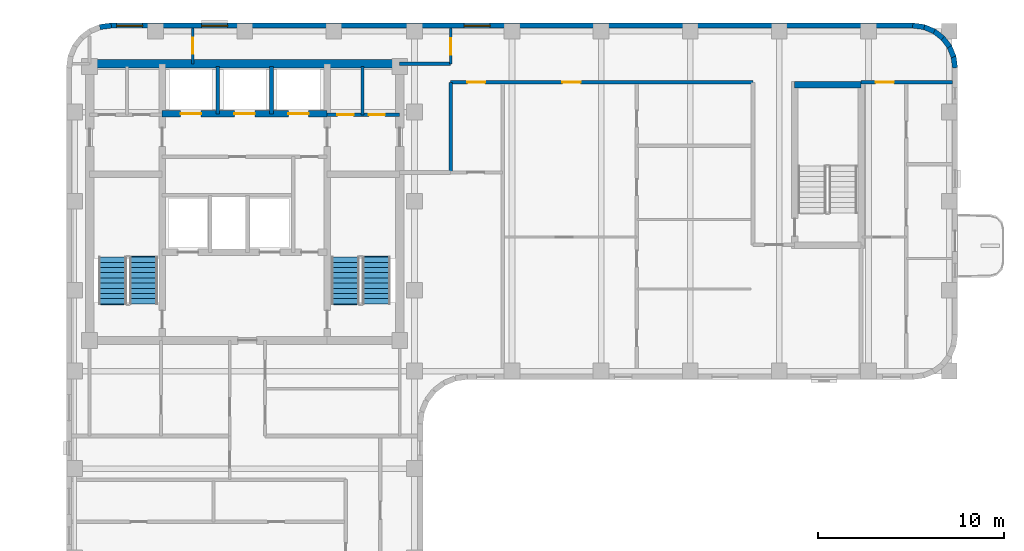
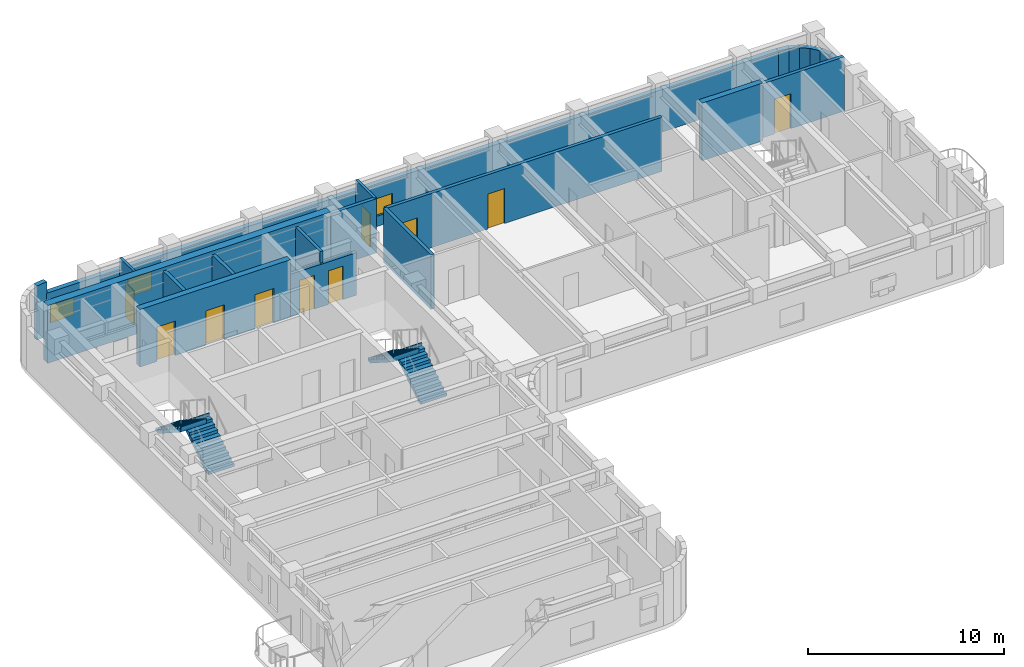
# One storey, part 6 of 10: 21 walls, 10 doors, 4 stair flights, 3 windows, 13 openings, 2 elements without a shape of their own.
"""IFC4 building model written with IfcOpenShell, lengths in metres."""

import ifcopenshell
import ifcopenshell.guid

model = None  # the IFC model being written
_history = None  # IfcOwnerHistory: only IFC2X3 demands one
_inside = {}  # id of a spatial element -> (the spatial element, [elements in it])
_under = {}  # id of a project, library or spatial element -> (it, [spatial elements below it])
_declared = {}  # id of a project -> (the project, [libraries it declares])
_typed = {}  # id of a type object -> (the type object, [elements of that type])
_made_of = {}  # id of a material, layer set ... -> (it, [elements and type objects made of it])


def new_model(schema):
    """Start an empty IFC model of exactly this schema.

    Asked for "IFC4X3", IfcOpenShell would pick the latest addendum, in which some entities
    have other attributes; the version numbers below select the first issue.
    IFC2X3 requires an IfcOwnerHistory on every rooted entity: one is made here for all.
    """
    global model, _history
    if schema == "IFC4X3":
        model = ifcopenshell.file(schema_version=(4, 3, 0, 0))
    else:
        model = ifcopenshell.file(schema=schema)
    _inside.clear()
    _under.clear()
    _declared.clear()
    _typed.clear()
    _made_of.clear()
    _history = None
    if model.schema == "IFC2X3":
        org = make("IfcOrganization", Name="unknown")
        user = make(
            "IfcPersonAndOrganization",
            ThePerson=make("IfcPerson", FamilyName="unknown"),
            TheOrganization=org,
        )
        app = make(
            "IfcApplication",
            ApplicationDeveloper=org,
            Version="unknown",
            ApplicationFullName="unknown",
            ApplicationIdentifier="unknown",
        )
        _history = make(
            "IfcOwnerHistory",
            OwningUser=user,
            OwningApplication=app,
            ChangeAction="ADDED",
            CreationDate=0,
        )
    return model


def make(cls, **values):
    """One entity of the class cls with the attributes given. An attribute that is None is left unset."""
    return model.create_entity(
        cls, **{name: value for name, value in values.items() if value is not None}
    )


def rooted(cls, **values):
    """An entity with a GlobalId (a new one), such as an element, a storey or a relation."""
    return make(cls, GlobalId=ifcopenshell.guid.new(), OwnerHistory=_history, **values)


def si_unit(unit_type, name, prefix=None):
    """IfcSIUnit, for example si_unit("LENGTHUNIT", "METRE", prefix="MILLI")."""
    return make("IfcSIUnit", UnitType=unit_type, Prefix=prefix, Name=name)


def assignment(units):
    """IfcUnitAssignment: the units of a project."""
    return None if units is None else make("IfcUnitAssignment", Units=units)


def point(xyz):
    """IfcCartesianPoint."""
    return None if xyz is None else make("IfcCartesianPoint", Coordinates=xyz)


def direction(xyz):
    """IfcDirection."""
    return None if xyz is None else make("IfcDirection", DirectionRatios=xyz)


def frame(location, z_axis=None, x_axis=None):
    """IfcAxis2Placement3D, a coordinate frame: its origin and axes. An axis left out is left unset."""
    return make(
        "IfcAxis2Placement3D",
        Location=point(location),
        Axis=direction(z_axis),
        RefDirection=direction(x_axis),
    )


def frame_2d(location, x_axis=None):
    """IfcAxis2Placement2D, a coordinate frame in the plane: its origin and x axis."""
    return make(
        "IfcAxis2Placement2D", Location=point(location), RefDirection=direction(x_axis)
    )


def origin():
    """The frame at (0, 0, 0) with its axes left unset."""
    return frame((0.0, 0.0, 0.0))


def place(relative_to, where):
    """IfcLocalPlacement: puts the frame where relative to a parent placement (None: the world)."""
    return make(
        "IfcLocalPlacement", PlacementRelTo=relative_to, RelativePlacement=where
    )


def context(
    kind, dimensions, precision=None, world=None, true_north=None, identifier=None
):
    """IfcGeometricRepresentationContext, for example the 3D "Model" context."""
    return make(
        "IfcGeometricRepresentationContext",
        ContextIdentifier=identifier,
        ContextType=kind,
        CoordinateSpaceDimension=dimensions,
        Precision=precision,
        WorldCoordinateSystem=world,
        TrueNorth=true_north,
    )


def subcontext(parent, identifier, kind, view, scale=None):
    """IfcGeometricRepresentationSubContext, for example "Body" below "Model"."""
    return make(
        "IfcGeometricRepresentationSubContext",
        ContextIdentifier=identifier,
        ContextType=kind,
        ParentContext=parent,
        TargetScale=scale,
        TargetView=view,
    )


def project(units=None, contexts=None):
    """IfcProject with its units and contexts."""
    return rooted(
        "IfcProject",
        Name="project",
        RepresentationContexts=contexts,
        UnitsInContext=assignment(units),
    )


def spatial(cls, under=None, at=None, **own):
    """A site, building, storey or space (cls), placed at a placement, below another one or the project."""
    s = rooted(cls, ObjectPlacement=at, **own)
    if under is not None:
        _under.setdefault(under.id(), (under, []))[1].append(s)
    return s


def polyline(points):
    """IfcPolyline through the points."""
    return make("IfcPolyline", Points=[point(p) for p in points])


def profile(cls, at=None, kind="AREA", **sizes):
    """A parametric profile (cls). Its sizes go by their IFC names, for example OverallWidth=200.0."""
    return make(cls, ProfileType=kind, Position=at, **sizes)


def rectangle(**sizes):
    """IfcRectangleProfileDef."""
    return profile("IfcRectangleProfileDef", **sizes)


def outline(outer, holes=None, kind="AREA"):
    """IfcArbitraryClosedProfileDef: a profile drawn as a closed curve; with holes, ...WithVoids."""
    if holes is None:
        return make("IfcArbitraryClosedProfileDef", ProfileType=kind, OuterCurve=outer)
    return make(
        "IfcArbitraryProfileDefWithVoids",
        ProfileType=kind,
        OuterCurve=outer,
        InnerCurves=holes,
    )


def extrude(swept, where, along, depth):
    """IfcExtrudedAreaSolid: the profile swept, set in the frame where, extruded along a direction by depth."""
    return make(
        "IfcExtrudedAreaSolid",
        SweptArea=swept,
        Position=where,
        ExtrudedDirection=direction(along),
        Depth=depth,
    )


def shape(context_of_items, identifier, shape_type, items):
    """IfcShapeRepresentation: the items that make up one representation, for example the "Body"."""
    return make(
        "IfcShapeRepresentation",
        ContextOfItems=context_of_items,
        RepresentationIdentifier=identifier,
        RepresentationType=shape_type,
        Items=items,
    )


def material(Name=None, Category=None):
    """IfcMaterial."""
    return make("IfcMaterial", Name=Name, Category=Category)


def layer(
    of_material, thickness, ventilated=None, Name=None, Category=None, Priority=None
):
    """IfcMaterialLayer: one layer of a wall or slab, of a material (None: an air gap)."""
    return make(
        "IfcMaterialLayer",
        Material=of_material,
        LayerThickness=thickness,
        IsVentilated=ventilated,
        Name=Name,
        Category=Category,
        Priority=Priority,
    )


def layer_set(layers, Name=None):
    """IfcMaterialLayerSet."""
    return make("IfcMaterialLayerSet", MaterialLayers=layers, LayerSetName=Name)


def made_of(thing, what):
    """Note that an element or type object is made of a material, layer set ...; save() writes the relation."""
    if what is not None:
        _made_of.setdefault(what.id(), (what, []))[1].append(thing)
    return thing


def type_object(cls, material=None, **own):
    """A type object (cls), such as IfcWallType, which elements share."""
    return made_of(rooted(cls, **own), material)


def element(
    cls,
    number,
    at=None,
    inside=None,
    cuts=None,
    type_object=None,
    material=None,
    context=None,
    identifier="Body",
    shape_type=None,
    held_by="IfcProductDefinitionShape",
    body=None,
    shapes=None,
    **own,
):
    """One element of the class cls, such as IfcWall. Its Tag is "e" and its number.

    at: its placement. inside: the storey or other place that contains it. cuts: it is an
    opening in that element (IfcRelVoidsElement). A single representation is given by context,
    identifier, shape_type and body (its items); several are given by shapes. held_by: the class
    of the entity that holds the representations. save() writes the other relations.
    """
    e = rooted(cls, Tag="e%d" % number, ObjectPlacement=at, **own)
    if body is not None:
        shapes = [shape(context, identifier, shape_type, body)]
    if shapes is not None:
        e.Representation = make(held_by, Representations=shapes)
    if inside is not None:
        _inside.setdefault(inside.id(), (inside, []))[1].append(e)
    if cuts is not None:
        rooted(
            "IfcRelVoidsElement", RelatingBuildingElement=cuts, RelatedOpeningElement=e
        )
    if type_object is not None:
        _typed.setdefault(type_object.id(), (type_object, []))[1].append(e)
    return made_of(e, material)


def fill(opening, filler):
    """IfcRelFillsElement: the door or window that sits in an opening."""
    return rooted(
        "IfcRelFillsElement",
        RelatingOpeningElement=opening,
        RelatedBuildingElement=filler,
    )


def aggregate(whole, parts):
    """IfcRelAggregates: a whole, such as a stair, and the parts it consists of."""
    return rooted("IfcRelAggregates", RelatingObject=whole, RelatedObjects=parts)


def save(model, path):
    """Write the relations noted so far, then the file.

    IfcRelAggregates (storeys below a building ...), IfcRelContainedInSpatialStructure (elements
    in a storey), IfcRelDefinesByType, IfcRelAssociatesMaterial and IfcRelDeclares: one each for
    every whole, place, type object, material and project.
    """
    for whole, parts in _under.values():
        aggregate(whole, parts)
    for where, things in _inside.values():
        rooted(
            "IfcRelContainedInSpatialStructure",
            RelatedElements=things,
            RelatingStructure=where,
        )
    for kind, things in _typed.values():
        rooted("IfcRelDefinesByType", RelatedObjects=things, RelatingType=kind)
    for what, things in _made_of.values():
        rooted("IfcRelAssociatesMaterial", RelatedObjects=things, RelatingMaterial=what)
    for by, libraries in _declared.values():
        rooted("IfcRelDeclares", RelatingContext=by, RelatedDefinitions=libraries)
    model.write(path)


model = new_model("IFC4")

# Units and contexts
model_context = context("Model", 3, precision=1e-05, world=origin(), true_north=direction((0.0, 1.0)))
body_context = subcontext(model_context, "Body", "Model", "MODEL_VIEW")
ifc_project = project(units=[si_unit("LENGTHUNIT", "METRE"), si_unit("AREAUNIT", "SQUARE_METRE"), si_unit("VOLUMEUNIT", "CUBIC_METRE"), si_unit("PLANEANGLEUNIT", "RADIAN"), si_unit("MASSUNIT", "GRAM", prefix="KILO")], contexts=[model_context])

# Site, building, storey
site_placement = place(None, origin())
site = spatial("IfcSite", under=ifc_project, at=site_placement, CompositionType="ELEMENT")
building_placement = place(site_placement, origin())
building = spatial("IfcBuilding", under=site, at=building_placement, Name="Orvandelia Arch Residences", CompositionType="ELEMENT")
storey_placement = place(building_placement, frame((0.0, 0.0, 229.0)))
storey = spatial("IfcBuildingStorey", under=building, at=storey_placement, Name="L60", CompositionType="ELEMENT", Elevation=229.0)

# Wall, openings, doors
ifc_material_1 = material(Name="Concrete C50/60", Category="concrete")
ifc_layer_1 = layer(ifc_material_1, 0.35009765625, Name="Concrete C50/60", Category="concrete")
ifc_layer_set_1 = layer_set([ifc_layer_1], Name="Concrete C50/60")
wall_type_1 = type_object("IfcWallType", Name="WL-CORE-350", PredefinedType="SHEAR", material=ifc_layer_set_1)
wall_1_placement = place(storey_placement, frame((9.9599609375, 43.10009765625, 0.0), z_axis=(0.0, 0.0, 1.0), x_axis=(1.0, 0.0, 0.0)))
wall_1 = element("IfcWall", 1, at=wall_1_placement, inside=storey, type_object=wall_type_1, Name="Core Shear Wall L60-HZ4", PredefinedType="SHEAR", context=body_context, shape_type="SweptSolid", body=[
    extrude(rectangle(XDim=8.880126953125, YDim=0.35009765625, at=frame_2d((4.43994140625, 0.0))), origin(), (0.0, 0.0, 1.0), 3.60009765625),
])
opening_1_placement = place(wall_1_placement, frame((0.989990234375, 0.0, 0.0)))
opening_1 = element("IfcOpeningElement", 2, at=opening_1_placement, cuts=wall_1, Name="Opening LD", PredefinedType="OPENING", context=body_context, shape_type="SweptSolid", body=[
    extrude(rectangle(XDim=1.10009765625, YDim=2.14990234375, at=frame_2d((0.550048828125, 1.074951171875))), frame((0.0, 0.18505859375, 0.0), z_axis=(0.0, -1.0, 0.0), x_axis=(1.0, 0.0, 0.0)), (0.0, 0.0, 1.0), 0.3701171875),
])
opening_2_placement = place(wall_1_placement, frame((3.889892578125, 0.0, 0.0)))
opening_2 = element("IfcOpeningElement", 3, at=opening_2_placement, cuts=wall_1, Name="Opening LD", PredefinedType="OPENING", context=body_context, shape_type="SweptSolid", body=[
    extrude(rectangle(XDim=1.10009765625, YDim=2.14990234375, at=frame_2d((0.550048828125, 1.074951171875))), frame((0.0, 0.18505859375, 0.0), z_axis=(0.0, -1.0, 0.0), x_axis=(1.0, 0.0, 0.0)), (0.0, 0.0, 1.0), 0.3701171875),
])
opening_3_placement = place(wall_1_placement, frame((6.7900390625, 0.0, 0.0)))
opening_3 = element("IfcOpeningElement", 4, at=opening_3_placement, cuts=wall_1, Name="Opening LD", PredefinedType="OPENING", context=body_context, shape_type="SweptSolid", body=[
    extrude(rectangle(XDim=1.10009765625, YDim=2.14990234375, at=frame_2d((0.550048828125, 1.074951171875))), frame((0.0, 0.18505859375, 0.0), z_axis=(0.0, -1.0, 0.0), x_axis=(1.0, 0.0, 0.0)), (0.0, 0.0, 1.0), 0.3701171875),
])
ifc_material_2 = material(Name="Brushed Stainless Steel Sliding Lift Door", Category="steel")
door_type_1 = type_object("IfcDoorType", Name="DR-LIFT-1100", OperationType="NOTDEFINED", PredefinedType="DOOR", material=ifc_material_2)
door_1_placement = place(opening_1_placement, origin())
door_1 = element("IfcDoor", 5, at=door_1_placement, inside=storey, type_object=door_type_1, Name="Lift Landing Door LD-PH1-L60", OperationType="SLIDING_TO_LEFT", OverallHeight=2.14990234375, OverallWidth=1.10009765625, PredefinedType="DOOR", context=body_context, shape_type="SweptSolid", body=[
    extrude(rectangle(XDim=1.10009765625, YDim=2.14990234375, at=frame_2d((0.550048828125, 1.074951171875))), frame((0.0, 0.02490234375, 0.0), z_axis=(0.0, -1.0, 0.0), x_axis=(1.0, 0.0, 0.0)), (0.0, 0.0, 1.0), 0.050048828125),
])
fill(opening_1, door_1)
door_2_placement = place(opening_2_placement, origin())
door_2 = element("IfcDoor", 6, at=door_2_placement, inside=storey, type_object=door_type_1, Name="Lift Landing Door LD-PH2-L60", OperationType="SLIDING_TO_RIGHT", OverallHeight=2.14990234375, OverallWidth=1.10009765625, PredefinedType="DOOR", context=body_context, shape_type="SweptSolid", body=[
    extrude(rectangle(XDim=1.10009765625, YDim=2.14990234375, at=frame_2d((0.550048828125, 1.074951171875))), frame((0.0, 0.02490234375, 0.0), z_axis=(0.0, -1.0, 0.0), x_axis=(1.0, 0.0, 0.0)), (0.0, 0.0, 1.0), 0.050048828125),
])
fill(opening_2, door_2)
door_3_placement = place(opening_3_placement, origin())
door_3 = element("IfcDoor", 7, at=door_3_placement, inside=storey, type_object=door_type_1, Name="Lift Landing Door LD-PH3-L60", OperationType="SLIDING_TO_LEFT", OverallHeight=2.14990234375, OverallWidth=1.10009765625, PredefinedType="DOOR", context=body_context, shape_type="SweptSolid", body=[
    extrude(rectangle(XDim=1.10009765625, YDim=2.14990234375, at=frame_2d((0.550048828125, 1.074951171875))), frame((0.0, 0.02490234375, 0.0), z_axis=(0.0, -1.0, 0.0), x_axis=(1.0, 0.0, 0.0)), (0.0, 0.0, 1.0), 0.050048828125),
])
fill(opening_3, door_3)

# Walls
wall_2_placement = place(storey_placement, frame((44.02001953125, 44.659912109375, 0.0), z_axis=(0.0, 0.0, 1.0), x_axis=(1.0, 0.0, 0.0)))
element("IfcWall", 8, at=wall_2_placement, inside=storey, type_object=wall_type_1, Name="East Stair Core Shear Wall L60-N", PredefinedType="SHEAR", context=body_context, shape_type="SweptSolid", body=[
    extrude(rectangle(XDim=3.580078125, YDim=0.35009765625, at=frame_2d((1.7900390625, 0.0))), origin(), (0.0, 0.0, 1.0), 3.60009765625),
])
ifc_layer_2 = layer(ifc_material_1, 0.449951171875, Name="Concrete C50/60", Category="concrete")
ifc_layer_set_2 = layer_set([ifc_layer_2], Name="Concrete C50/60")
wall_type_2 = type_object("IfcWallType", Name="WL-CORE-450", PredefinedType="SHEAR", material=ifc_layer_set_2)
wall_3_placement = place(storey_placement, frame((6.050048828125, 45.800048828125, 0.0), z_axis=(0.0, 0.0, 1.0), x_axis=(1.0, 0.0, 0.0)))
element("IfcWall", 9, at=wall_3_placement, inside=storey, type_object=wall_type_2, Name="Core Shear Wall L60-N", PredefinedType="SHEAR", context=body_context, shape_type="SweptSolid", body=[
    extrude(rectangle(XDim=16.699951171875, YDim=0.449951171875, at=frame_2d((8.35009765625, 0.0))), origin(), (0.0, 0.0, 1.0), 3.60009765625),
])
ifc_material_3 = material(Name="Fire-Rated Corridor Partition")
ifc_layer_3 = layer(ifc_material_3, 0.199951171875, Name="Fire-Rated Corridor Partition")
ifc_layer_set_3 = layer_set([ifc_layer_3], Name="Fire-Rated Corridor Partition")
wall_type_3 = type_object("IfcWallType", Name="WL-CORR-200", PredefinedType="PARTITIONING", material=ifc_layer_set_3)
wall_4_placement = place(storey_placement, frame((22.75, 45.800048828125, 0.0), z_axis=(0.0, 0.0, 1.0), x_axis=(1.0, 0.0, 0.0)))
element("IfcWall", 10, at=wall_4_placement, inside=storey, type_object=wall_type_3, Name="Interior Partition Wall WL-L60-NCE-S", PredefinedType="PARTITIONING", context=body_context, shape_type="SweptSolid", body=[
    extrude(rectangle(XDim=2.75, YDim=0.199951171875, at=frame_2d((1.375, 0.0))), origin(), (0.0, 0.0, 1.0), 3.3798828125),
])

# Wall, openings, doors
wall_5_placement = place(storey_placement, frame((25.5, 44.800048828125, 0.0), z_axis=(0.0, 0.0, 1.0), x_axis=(1.0, 0.0, 0.0)))
wall_5 = element("IfcWall", 11, at=wall_5_placement, inside=storey, type_object=wall_type_3, Name="Interior Partition Wall WL-L60-EN2-S1", PredefinedType="PARTITIONING", context=body_context, shape_type="SweptSolid", body=[
    extrude(rectangle(XDim=16.280029296875, YDim=0.199951171875, at=frame_2d((8.14013671875, 0.0))), origin(), (0.0, 0.0, 1.0), 3.3798828125),
])
opening_4_placement = place(wall_5_placement, frame((0.89990234375, 0.0, 0.0)))
opening_4 = element("IfcOpeningElement", 12, at=opening_4_placement, cuts=wall_5, Name="Opening D2", PredefinedType="OPENING", context=body_context, shape_type="SweptSolid", body=[
    extrude(rectangle(XDim=0.949951171875, YDim=2.14990234375, at=frame_2d((0.47509765625, 1.074951171875))), frame((0.0, 0.10986328125, 0.0), z_axis=(0.0, -1.0, 0.0), x_axis=(1.0, 0.0, 0.0)), (0.0, 0.0, 1.0), 0.219970703125),
])
opening_5_placement = place(wall_5_placement, frame((6.013916015625, 0.0, 0.0)))
opening_5 = element("IfcOpeningElement", 13, at=opening_5_placement, cuts=wall_5, Name="Opening D1", PredefinedType="OPENING", context=body_context, shape_type="SweptSolid", body=[
    extrude(rectangle(XDim=0.97998046875, YDim=2.179931640625, at=frame_2d((0.489990234375, 1.08984375))), frame((0.0, 0.10986328125, 0.0), z_axis=(0.0, -1.0, 0.0), x_axis=(1.0, 0.0, 0.0)), (0.0, 0.0, 1.0), 0.219970703125),
])
ifc_material_4 = material(Name="Solid-Core Timber Interior Fire Door", Category="wood")
door_type_2 = type_object("IfcDoorType", Name="DR-APT-950", OperationType="NOTDEFINED", PredefinedType="DOOR", material=ifc_material_4)
door_4_placement = place(opening_4_placement, origin())
door_4 = element("IfcDoor", 14, at=door_4_placement, inside=storey, type_object=door_type_2, Name="DR-L60-EN2KLD", OperationType="SINGLE_SWING_LEFT", OverallHeight=2.14990234375, OverallWidth=0.949951171875, PredefinedType="DOOR", context=body_context, shape_type="SweptSolid", body=[
    extrude(rectangle(XDim=0.949951171875, YDim=2.14990234375, at=frame_2d((0.47509765625, 1.074951171875))), frame((0.0, 0.02490234375, 0.0), z_axis=(0.0, -1.0, 0.0), x_axis=(1.0, 0.0, 0.0)), (0.0, 0.0, 1.0), 0.050048828125),
])
fill(opening_4, door_4)
ifc_material_5 = material(Name="Solid-Core Timber Acoustic Fire Door", Category="wood")
door_type_3 = type_object("IfcDoorType", Name="DR-ENT-980", OperationType="NOTDEFINED", PredefinedType="DOOR", material=ifc_material_5)
door_5_placement = place(opening_5_placement, origin())
door_5 = element("IfcDoor", 15, at=door_5_placement, inside=storey, type_object=door_type_3, Name="Unit L60-04 Entrance Door", OperationType="SINGLE_SWING_RIGHT", OverallHeight=2.179931640625, OverallWidth=0.97998046875, PredefinedType="DOOR", context=body_context, shape_type="SweptSolid", body=[
    extrude(rectangle(XDim=0.97998046875, YDim=2.179931640625, at=frame_2d((0.489990234375, 1.08984375))), frame((0.0, 0.02490234375, 0.0), z_axis=(0.0, -1.0, 0.0), x_axis=(1.0, 0.0, 0.0)), (0.0, 0.0, 1.0), 0.050048828125),
])
fill(opening_5, door_5)

# Wall, opening, door
wall_6_placement = place(storey_placement, frame((47.60009765625, 44.800048828125, 0.0), z_axis=(0.0, 0.0, 1.0), x_axis=(1.0, 0.0, 0.0)))
wall_6 = element("IfcWall", 16, at=wall_6_placement, inside=storey, type_object=wall_type_3, Name="Interior Partition Wall WL-L60-EN2-S2", PredefinedType="PARTITIONING", context=body_context, shape_type="SweptSolid", body=[
    extrude(rectangle(XDim=4.919921875, YDim=0.199951171875, at=frame_2d((2.4599609375, 0.0))), origin(), (0.0, 0.0, 1.0), 3.3798828125),
])
opening_6_placement = place(wall_6_placement, frame((0.79150390625, 0.0, 0.0)))
opening_6 = element("IfcOpeningElement", 17, at=opening_6_placement, cuts=wall_6, Name="Opening D1", PredefinedType="OPENING", context=body_context, shape_type="SweptSolid", body=[
    extrude(rectangle(XDim=0.97998046875, YDim=2.179931640625, at=frame_2d((0.489990234375, 1.08984375))), frame((0.0, 0.10986328125, 0.0), z_axis=(0.0, -1.0, 0.0), x_axis=(1.0, 0.0, 0.0)), (0.0, 0.0, 1.0), 0.219970703125),
])
door_6_placement = place(opening_6_placement, origin())
door_6 = element("IfcDoor", 18, at=door_6_placement, inside=storey, type_object=door_type_3, Name="Unit L60-05 Entrance Door", OperationType="SINGLE_SWING_LEFT", OverallHeight=2.179931640625, OverallWidth=0.97998046875, PredefinedType="DOOR", context=body_context, shape_type="SweptSolid", body=[
    extrude(rectangle(XDim=0.97998046875, YDim=2.179931640625, at=frame_2d((0.489990234375, 1.08984375))), frame((0.0, 0.02490234375, 0.0), z_axis=(0.0, -1.0, 0.0), x_axis=(1.0, 0.0, 0.0)), (0.0, 0.0, 1.0), 0.050048828125),
])
fill(opening_6, door_6)

# Walls
wall_7_placement = place(storey_placement, frame((25.5, 39.949951171875, 0.0), z_axis=(0.0, 0.0, 1.0), x_axis=(0.0, 1.0, 0.0)))
element("IfcWall", 19, at=wall_7_placement, inside=storey, type_object=wall_type_3, Name="Interior Partition Wall WL-L60-EN2-LW", PredefinedType="PARTITIONING", context=body_context, shape_type="SweptSolid", body=[
    extrude(rectangle(XDim=4.85009765625, YDim=0.199951171875, at=frame_2d((2.425048828125, 0.0))), origin(), (0.0, 0.0, 1.0), 3.3798828125),
])
ifc_material_6 = material(Name="Precast concrete C40/50", Category="concrete")
ifc_layer_4 = layer(ifc_material_6, 0.280029296875, Name="Precast concrete C40/50", Category="concrete")
ifc_layer_set_4 = layer_set([ifc_layer_4], Name="Precast concrete C40/50")
wall_type_4 = type_object("IfcWallType", Name="WL-EXT-STONE-280", PredefinedType="STANDARD", material=ifc_layer_set_4)
wall_8_placement = place(storey_placement, frame((6.59716796875, 47.779296875, 0.0), z_axis=(0.0, 0.0, 1.0), x_axis=(0.9914410257, 0.130555323746, 0.0)))
element("IfcWall", 20, at=wall_8_placement, inside=storey, type_object=wall_type_4, Name="Coral-Limestone Precast Facade Wall L60-006", PredefinedType="STANDARD", context=body_context, shape_type="SweptSolid", body=[
    extrude(rectangle(XDim=0.62646484375, YDim=0.280029296875, at=frame_2d((0.313232421875, 0.0))), origin(), (0.0, 0.0, 1.0), 3.3798828125),
])

# Wall, openings, windows
wall_9_placement = place(storey_placement, frame((7.199951171875, 47.860107421875, 0.0), z_axis=(0.0, 0.0, 1.0), x_axis=(1.0, 0.0, 0.0)))
wall_9 = element("IfcWall", 21, at=wall_9_placement, inside=storey, type_object=wall_type_4, Name="Coral-Limestone Precast Facade Wall L60-007", PredefinedType="STANDARD", context=body_context, shape_type="SweptSolid", body=[
    extrude(rectangle(XDim=43.199951171875, YDim=0.280029296875, at=frame_2d((21.60009765625, 0.0))), origin(), (0.0, 0.0, 1.0), 2.659912109375),
])
opening_7_placement = place(wall_9_placement, frame((19.027587890625, 0.0, 0.64990234375)))
opening_7 = element("IfcOpeningElement", 22, at=opening_7_placement, cuts=wall_9, Name="Opening W10", PredefinedType="OPENING", context=body_context, shape_type="SweptSolid", body=[
    extrude(rectangle(XDim=1.39990234375, YDim=1.10009765625, at=frame_2d((0.699951171875, 0.550048828125))), frame((0.0, 0.14990234375, 0.0), z_axis=(0.0, -1.0, 0.0), x_axis=(1.0, 0.0, 0.0)), (0.0, 0.0, 1.0), 0.300048828125),
])
opening_8_placement = place(wall_9_placement, frame((0.3076171875, 0.0, 0.64990234375)))
opening_8 = element("IfcOpeningElement", 23, at=opening_8_placement, cuts=wall_9, Name="Opening W10", PredefinedType="OPENING", context=body_context, shape_type="SweptSolid", body=[
    extrude(rectangle(XDim=1.39990234375, YDim=1.10009765625, at=frame_2d((0.699951171875, 0.550048828125))), frame((0.0, 0.14990234375, 0.0), z_axis=(0.0, -1.0, 0.0), x_axis=(1.0, 0.0, 0.0)), (0.0, 0.0, 1.0), 0.300048828125),
])
opening_9_placement = place(wall_9_placement, frame((4.87744140625, 0.0, 0.64990234375)))
opening_9 = element("IfcOpeningElement", 24, at=opening_9_placement, cuts=wall_9, Name="Opening W10", PredefinedType="OPENING", context=body_context, shape_type="SweptSolid", body=[
    extrude(rectangle(XDim=1.39990234375, YDim=1.10009765625, at=frame_2d((0.699951171875, 0.550048828125))), frame((0.0, 0.14990234375, 0.0), z_axis=(0.0, -1.0, 0.0), x_axis=(1.0, 0.0, 0.0)), (0.0, 0.0, 1.0), 0.300048828125),
])
ifc_material_7 = material(Name="Tempered Low-E Insulated Glazing", Category="glass")
window_type = type_object("IfcWindowType", Name="WIN-CLR-1400x1100", PartitioningType="SINGLE_PANEL", PredefinedType="WINDOW", material=ifc_material_7)
window_1_placement = place(opening_7_placement, origin())
window_1 = element("IfcWindow", 25, at=window_1_placement, inside=storey, type_object=window_type, Name="Recessed Punched Window L60-001", OverallHeight=1.10009765625, OverallWidth=1.39990234375, PartitioningType="SINGLE_PANEL", PredefinedType="WINDOW", context=body_context, shape_type="SweptSolid", body=[
    extrude(rectangle(XDim=1.39990234375, YDim=1.10009765625, at=frame_2d((0.699951171875, 0.550048828125))), frame((0.0, 0.030029296875, 0.0), z_axis=(0.0, -1.0, 0.0), x_axis=(1.0, 0.0, 0.0)), (0.0, 0.0, 1.0), 0.06005859375),
])
fill(opening_7, window_1)
window_2_placement = place(opening_8_placement, origin())
window_2 = element("IfcWindow", 26, at=window_2_placement, inside=storey, type_object=window_type, Name="Recessed Punched Window L60-002", OverallHeight=1.10009765625, OverallWidth=1.39990234375, PartitioningType="SINGLE_PANEL", PredefinedType="WINDOW", context=body_context, shape_type="SweptSolid", body=[
    extrude(rectangle(XDim=1.39990234375, YDim=1.10009765625, at=frame_2d((0.699951171875, 0.550048828125))), frame((0.0, 0.030029296875, 0.0), z_axis=(0.0, -1.0, 0.0), x_axis=(1.0, 0.0, 0.0)), (0.0, 0.0, 1.0), 0.06005859375),
])
fill(opening_8, window_2)
window_3_placement = place(opening_9_placement, origin())
window_3 = element("IfcWindow", 27, at=window_3_placement, inside=storey, type_object=window_type, Name="Recessed Punched Window L60-003", OverallHeight=1.10009765625, OverallWidth=1.39990234375, PartitioningType="SINGLE_PANEL", PredefinedType="WINDOW", context=body_context, shape_type="SweptSolid", body=[
    extrude(rectangle(XDim=1.39990234375, YDim=1.10009765625, at=frame_2d((0.699951171875, 0.550048828125))), frame((0.0, 0.030029296875, 0.0), z_axis=(0.0, -1.0, 0.0), x_axis=(1.0, 0.0, 0.0)), (0.0, 0.0, 1.0), 0.06005859375),
])
fill(opening_9, window_3)

# Walls
wall_10_placement = place(storey_placement, frame((50.381591796875, 47.861083984375, 0.0), z_axis=(0.0, 0.0, 1.0), x_axis=(0.991447664465, -0.130504898859, 0.0)))
element("IfcWall", 28, at=wall_10_placement, inside=storey, type_object=wall_type_4, Name="Coral-Limestone Precast Facade Wall L60-008", PredefinedType="STANDARD", context=body_context, shape_type="SweptSolid", body=[
    extrude(rectangle(XDim=0.626708984375, YDim=0.280029296875, at=frame_2d((0.3134765625, 0.0))), origin(), (0.0, 0.0, 1.0), 2.659912109375),
])
for number, where, z_axis, x_axis, name in (
    (29, (50.967529296875, 47.788818359375, 0.0), (0.0, 0.0, 1.0), (0.924031075431, -0.382317370307, 0.0), "Coral-Limestone Precast Facade Wall L60-009"),
    (30, (51.514892578125, 47.5673828125, 0.0), (0.0, 0.0, 1.0), (0.793405610854, -0.608693302629, 0.0), "Coral-Limestone Precast Facade Wall L60-010"),
    (31, (51.986083984375, 47.2119140625, 0.0), (0.0, 0.0, 1.0), (0.608693302629, -0.793405610854, 0.0), "Coral-Limestone Precast Facade Wall L60-011"),
    (32, (52.34912109375, 46.746337890625, 0.0), (0.0, 0.0, 1.0), (0.382650053678, -0.92389335771, 0.0), "Coral-Limestone Precast Facade Wall L60-012"),
    (33, (52.579345703125, 46.202880859375, 0.0), (0.0, 0.0, 1.0), (0.130555323746, -0.9914410257, 0.0), "Coral-Limestone Precast Facade Wall L60-013"),
):
    element("IfcWall", number, at=place(storey_placement, frame(where, z_axis=z_axis, x_axis=x_axis)), inside=storey, type_object=wall_type_4, Name=name, PredefinedType="STANDARD", context=body_context, shape_type="SweptSolid", body=[
        extrude(rectangle(XDim=0.62646484375, YDim=0.280029296875, at=frame_2d((0.313232421875, 0.0))), origin(), (0.0, 0.0, 1.0), 2.659912109375),
    ])

# Wall, opening, door
ifc_material_8 = material(Name="Acoustic Gypsum Stud Partition")
ifc_layer_5 = layer(ifc_material_8, 0.14990234375, Name="Acoustic Gypsum Stud Partition")
ifc_layer_set_5 = layer_set([ifc_layer_5], Name="Acoustic Gypsum Stud Partition")
wall_type_5 = type_object("IfcWallType", Name="WL-PART-150", PredefinedType="PARTITIONING", material=ifc_layer_set_5)
wall_11_placement = place(storey_placement, frame((25.5, 45.800048828125, 0.0), z_axis=(0.0, 0.0, 1.0), x_axis=(0.0, 1.0, 0.0)))
wall_11 = element("IfcWall", 34, at=wall_11_placement, inside=storey, type_object=wall_type_5, Name="Interior Partition Wall WL-L60-NCE-W", PredefinedType="PARTITIONING", context=body_context, shape_type="SweptSolid", body=[
    extrude(rectangle(XDim=1.919921875, YDim=0.14990234375, at=frame_2d((0.9599609375, 0.0))), origin(), (0.0, 0.0, 1.0), 3.3798828125),
])
opening_10_placement = place(wall_11_placement, frame((0.5, 0.0, 0.0)))
opening_10 = element("IfcOpeningElement", 35, at=opening_10_placement, cuts=wall_11, Name="Opening D5", PredefinedType="OPENING", context=body_context, shape_type="SweptSolid", body=[
    extrude(rectangle(XDim=0.8798828125, YDim=2.10009765625, at=frame_2d((0.43994140625, 1.050048828125))), frame((0.0, 0.0849609375, 0.0), z_axis=(0.0, -1.0, 0.0), x_axis=(1.0, 0.0, 0.0)), (0.0, 0.0, 1.0), 0.169921875),
])
ifc_material_9 = material(Name="Painted Galvanised Steel Service Door", Category="steel")
door_type_4 = type_object("IfcDoorType", Name="DR-SRV-880", OperationType="NOTDEFINED", PredefinedType="DOOR", material=ifc_material_9)
door_7_placement = place(opening_10_placement, origin())
door_7 = element("IfcDoor", 36, at=door_7_placement, inside=storey, type_object=door_type_4, Name="DR-L60-NCS2", OperationType="SINGLE_SWING_LEFT", OverallHeight=2.10009765625, OverallWidth=0.8798828125, PredefinedType="DOOR", context=body_context, shape_type="SweptSolid", body=[
    extrude(rectangle(XDim=0.8798828125, YDim=2.10009765625, at=frame_2d((0.43994140625, 1.050048828125))), frame((0.0, 0.02490234375, 0.0), z_axis=(0.0, -1.0, 0.0), x_axis=(1.0, 0.0, 0.0)), (0.0, 0.0, 1.0), 0.050048828125),
])
fill(opening_10, door_7)

wall_12_placement = place(storey_placement, frame((11.60009765625, 45.800048828125, 0.0), z_axis=(0.0, 0.0, 1.0), x_axis=(0.0, 1.0, 0.0)))
wall_12 = element("IfcWall", 37, at=wall_12_placement, inside=storey, type_object=wall_type_5, Name="Interior Partition Wall WL-L60-NC-M", PredefinedType="PARTITIONING", context=body_context, shape_type="SweptSolid", body=[
    extrude(rectangle(XDim=1.919921875, YDim=0.14990234375, at=frame_2d((0.9599609375, 0.0))), origin(), (0.0, 0.0, 1.0), 3.3798828125),
])
opening_11_placement = place(wall_12_placement, frame((0.550048828125, 0.0, 0.0)))
opening_11 = element("IfcOpeningElement", 38, at=opening_11_placement, cuts=wall_12, Name="Opening D4", PredefinedType="OPENING", context=body_context, shape_type="SweptSolid", body=[
    extrude(rectangle(XDim=0.860107421875, YDim=2.10009765625, at=frame_2d((0.43017578125, 1.050048828125))), frame((0.0, 0.0849609375, 0.0), z_axis=(0.0, -1.0, 0.0), x_axis=(1.0, 0.0, 0.0)), (0.0, 0.0, 1.0), 0.169921875),
])
ifc_material_10 = material(Name="Moisture-Sealed Timber Bathroom Door", Category="wood")
door_type_5 = type_object("IfcDoorType", Name="DR-WET-900", OperationType="NOTDEFINED", PredefinedType="DOOR", material=ifc_material_10)
door_8_placement = place(opening_11_placement, origin())
door_8 = element("IfcDoor", 39, at=door_8_placement, inside=storey, type_object=door_type_5, Name="DR-L60-NCS1", OperationType="SINGLE_SWING_LEFT", OverallHeight=2.10009765625, OverallWidth=0.860107421875, PredefinedType="DOOR", context=body_context, shape_type="SweptSolid", body=[
    extrude(rectangle(XDim=0.860107421875, YDim=2.10009765625, at=frame_2d((0.43017578125, 1.050048828125))), frame((0.0, 0.02490234375, 0.0), z_axis=(0.0, -1.0, 0.0), x_axis=(1.0, 0.0, 0.0)), (0.0, 0.0, 1.0), 0.050048828125),
])
fill(opening_11, door_8)

# Wall, openings, doors
ifc_material_11 = material(Name="Fire-Rated Shaft Enclosure Wall")
ifc_layer_6 = layer(ifc_material_11, 0.199951171875, Name="Fire-Rated Shaft Enclosure Wall")
ifc_layer_set_6 = layer_set([ifc_layer_6], Name="Fire-Rated Shaft Enclosure Wall")
wall_type_6 = type_object("IfcWallType", Name="WL-SHAFT-200", PredefinedType="POLYGONAL", material=ifc_layer_set_6)
wall_13_placement = place(storey_placement, frame((18.840087890625, 43.050048828125, 0.0), z_axis=(0.0, 0.0, 1.0), x_axis=(1.0, 0.0, 0.0)))
wall_13 = element("IfcWall", 40, at=wall_13_placement, inside=storey, type_object=wall_type_6, Name="Interior Partition Wall WL-L60-HLE-N", PredefinedType="POLYGONAL", context=body_context, shape_type="SweptSolid", body=[
    extrude(rectangle(XDim=3.909912109375, YDim=0.199951171875, at=frame_2d((1.955078125, 0.0))), origin(), (0.0, 0.0, 1.0), 2.659912109375),
])
opening_12_placement = place(wall_13_placement, frame((0.550048828125, 0.0, 0.0)))
opening_12 = element("IfcOpeningElement", 41, at=opening_12_placement, cuts=wall_13, Name="Opening D5", PredefinedType="OPENING", context=body_context, shape_type="SweptSolid", body=[
    extrude(rectangle(XDim=0.8798828125, YDim=2.10009765625, at=frame_2d((0.43994140625, 1.050048828125))), frame((0.0, 0.10986328125, 0.0), z_axis=(0.0, -1.0, 0.0), x_axis=(1.0, 0.0, 0.0)), (0.0, 0.0, 1.0), 0.219970703125),
])
opening_13_placement = place(wall_13_placement, frame((2.25, 0.0, 0.0)))
opening_13 = element("IfcOpeningElement", 42, at=opening_13_placement, cuts=wall_13, Name="Opening D4", PredefinedType="OPENING", context=body_context, shape_type="SweptSolid", body=[
    extrude(rectangle(XDim=0.860107421875, YDim=2.10009765625, at=frame_2d((0.43017578125, 1.050048828125))), frame((0.0, 0.10986328125, 0.0), z_axis=(0.0, -1.0, 0.0), x_axis=(1.0, 0.0, 0.0)), (0.0, 0.0, 1.0), 0.219970703125),
])
door_9_placement = place(opening_12_placement, origin())
door_9 = element("IfcDoor", 43, at=door_9_placement, inside=storey, type_object=door_type_4, Name="DR-L60-CSB1", OperationType="SINGLE_SWING_LEFT", OverallHeight=2.10009765625, OverallWidth=0.8798828125, PredefinedType="DOOR", context=body_context, shape_type="SweptSolid", body=[
    extrude(rectangle(XDim=0.8798828125, YDim=2.10009765625, at=frame_2d((0.43994140625, 1.050048828125))), frame((0.0, 0.02490234375, 0.0), z_axis=(0.0, -1.0, 0.0), x_axis=(1.0, 0.0, 0.0)), (0.0, 0.0, 1.0), 0.050048828125),
])
fill(opening_12, door_9)
door_10_placement = place(opening_13_placement, origin())
door_10 = element("IfcDoor", 44, at=door_10_placement, inside=storey, type_object=door_type_5, Name="DR-L60-CSB2", OperationType="SINGLE_SWING_RIGHT", OverallHeight=2.10009765625, OverallWidth=0.860107421875, PredefinedType="DOOR", context=body_context, shape_type="SweptSolid", body=[
    extrude(rectangle(XDim=0.860107421875, YDim=2.10009765625, at=frame_2d((0.43017578125, 1.050048828125))), frame((0.0, 0.02490234375, 0.0), z_axis=(0.0, -1.0, 0.0), x_axis=(1.0, 0.0, 0.0)), (0.0, 0.0, 1.0), 0.050048828125),
])
fill(opening_13, door_10)

# Walls
for number, where, z_axis, x_axis, name in (
    (45, (12.949951171875, 43.10009765625, 0.0), (0.0, 0.0, 1.0), (0.0, 1.0, 0.0), "Interior Partition Wall WL-L60-PHD1"),
    (46, (15.85009765625, 43.10009765625, 0.0), (0.0, 0.0, 1.0), (0.0, 1.0, 0.0), "Interior Partition Wall WL-L60-PHD2"),
):
    element("IfcWall", number, at=place(storey_placement, frame(where, z_axis=z_axis, x_axis=x_axis)), inside=storey, type_object=wall_type_6, Name=name, PredefinedType="POLYGONAL", context=body_context, shape_type="SweptSolid", body=[
        extrude(rectangle(XDim=2.5498046875, YDim=0.199951171875, at=frame_2d((1.27490234375, 0.0))), origin(), (0.0, 0.0, 1.0), 3.3798828125),
    ])
ifc_material_12 = material(Name="Moisture-Resistant Plumbing Wall")
ifc_layer_7 = layer(ifc_material_12, 0.179931640625, Name="Moisture-Resistant Plumbing Wall")
ifc_layer_set_7 = layer_set([ifc_layer_7], Name="Moisture-Resistant Plumbing Wall")
wall_type_7 = type_object("IfcWallType", Name="WL-WET-180", PredefinedType="PLUMBINGWALL", material=ifc_layer_set_7)
wall_14_placement = place(storey_placement, frame((20.75, 43.050048828125, 0.0), z_axis=(0.0, 0.0, 1.0), x_axis=(0.0, 1.0, 0.0)))
element("IfcWall", 47, at=wall_14_placement, inside=storey, type_object=wall_type_7, Name="Interior Partition Wall WL-L60-CSB-1", PredefinedType="PLUMBINGWALL", context=body_context, shape_type="SweptSolid", body=[
    extrude(rectangle(XDim=2.599853515625, YDim=0.179931640625, at=frame_2d((1.2998046875, 0.0))), origin(), (0.0, 0.0, 1.0), 3.3798828125),
])

# Stair, stair flights
ifc_material_13 = material(Name="Concrete C40/50", Category="concrete")
stair_type = type_object("IfcStairType", Name="STAIR-RC-DOGLEG", PredefinedType="HALF_TURN_STAIR", material=ifc_material_13)
stair_1_placement = place(storey_placement, origin())
stair_1 = element("IfcStair", 48, at=stair_1_placement, inside=storey, type_object=stair_type, Name="L60 Protected Exit Stair ST-1", PredefinedType="HALF_TURN_STAIR")
stair_flight_type = type_object("IfcStairFlightType", Name="STFLT-RC-1520", PredefinedType="STRAIGHT", material=ifc_material_13)
stair_flight_1_placement = place(storey_placement, frame((8.9599609375, 32.8701171875, 0.0), z_axis=(0.0, 0.0, 1.0), x_axis=(0.0, 1.0, 0.0)))
stair_flight_1 = element("IfcStairFlight", 49, at=stair_flight_1_placement, type_object=stair_flight_type, Name="ST-1 flight 1", NumberOfRisers=10, NumberOfTreads=9, PredefinedType="STRAIGHT", RiserHeight=0.18, TreadLength=0.28, context=body_context, shape_type="SweptSolid", body=[
    extrude(outline(polyline([(0.0, 0.0), (0.0, 0.179931640625), (0.280029296875, 0.179931640625), (0.280029296875, 0.360107421875), (0.56005859375, 0.360107421875), (0.56005859375, 0.5400390625), (0.840087890625, 0.5400390625), (0.840087890625, 0.719970703125), (1.1201171875, 0.719970703125), (1.1201171875, 0.89990234375), (1.39990234375, 0.89990234375), (1.39990234375, 1.080078125), (1.679931640625, 1.080078125), (1.679931640625, 1.260009765625), (1.9599609375, 1.260009765625), (1.9599609375, 1.43994140625), (2.239990234375, 1.43994140625), (2.239990234375, 1.6201171875), (2.52001953125, 1.6201171875), (2.52001953125, 1.800048828125), (2.580078125, 1.800048828125), (2.580078125, 1.6201171875), (2.52001953125, 1.44189453125), (0.277099609375, 0.0), (0.0, 0.0)])), frame((0.0, 0.760009765625, 0.0), z_axis=(0.0, -1.0, 0.0), x_axis=(1.0, 0.0, 0.0)), (0.0, 0.0, 1.0), 1.52001953125),
])
stair_flight_2_placement = place(storey_placement, frame((7.2900390625, 35.389892578125, 1.800048828125), z_axis=(0.0, 0.0, 1.0), x_axis=(0.0, -1.0, 0.0)))
stair_flight_2 = element("IfcStairFlight", 50, at=stair_flight_2_placement, type_object=stair_flight_type, Name="ST-1 flight 2", NumberOfRisers=10, NumberOfTreads=9, PredefinedType="STRAIGHT", RiserHeight=0.18, TreadLength=0.28, context=body_context, shape_type="SweptSolid", body=[
    extrude(outline(polyline([(0.0, 0.0), (0.0, 0.179931640625), (0.280029296875, 0.179931640625), (0.280029296875, 0.360107421875), (0.56005859375, 0.360107421875), (0.56005859375, 0.5400390625), (0.840087890625, 0.5400390625), (0.840087890625, 0.719970703125), (1.1201171875, 0.719970703125), (1.1201171875, 0.89990234375), (1.39990234375, 0.89990234375), (1.39990234375, 1.080078125), (1.679931640625, 1.080078125), (1.679931640625, 1.260009765625), (1.9599609375, 1.260009765625), (1.9599609375, 1.43994140625), (2.239990234375, 1.43994140625), (2.239990234375, 1.6201171875), (2.52001953125, 1.6201171875), (2.52001953125, 1.800048828125), (2.580078125, 1.800048828125), (2.580078125, 1.6201171875), (2.52001953125, 1.44189453125), (0.277099609375, 0.0), (0.0, 0.0)])), frame((0.0, 0.760009765625, 0.0), z_axis=(0.0, -1.0, 0.0), x_axis=(1.0, 0.0, 0.0)), (0.0, 0.0, 1.0), 1.52001953125),
])
aggregate(stair_1, [stair_flight_1, stair_flight_2])

stair_2_placement = place(storey_placement, origin())
stair_2 = element("IfcStair", 51, at=stair_2_placement, inside=storey, type_object=stair_type, Name="L60 Protected Exit Stair ST-2", PredefinedType="HALF_TURN_STAIR")
stair_flight_3_placement = place(storey_placement, frame((21.489990234375, 32.8701171875, 0.0), z_axis=(0.0, 0.0, 1.0), x_axis=(0.0, 1.0, 0.0)))
stair_flight_3 = element("IfcStairFlight", 52, at=stair_flight_3_placement, type_object=stair_flight_type, Name="ST-2 flight 1", NumberOfRisers=10, NumberOfTreads=9, PredefinedType="STRAIGHT", RiserHeight=0.18, TreadLength=0.28, context=body_context, shape_type="SweptSolid", body=[
    extrude(outline(polyline([(0.0, 0.0), (0.0, 0.179931640625), (0.280029296875, 0.179931640625), (0.280029296875, 0.360107421875), (0.56005859375, 0.360107421875), (0.56005859375, 0.5400390625), (0.840087890625, 0.5400390625), (0.840087890625, 0.719970703125), (1.1201171875, 0.719970703125), (1.1201171875, 0.89990234375), (1.39990234375, 0.89990234375), (1.39990234375, 1.080078125), (1.679931640625, 1.080078125), (1.679931640625, 1.260009765625), (1.9599609375, 1.260009765625), (1.9599609375, 1.43994140625), (2.239990234375, 1.43994140625), (2.239990234375, 1.6201171875), (2.52001953125, 1.6201171875), (2.52001953125, 1.800048828125), (2.580078125, 1.800048828125), (2.580078125, 1.6201171875), (2.52001953125, 1.44189453125), (0.277099609375, 0.0), (0.0, 0.0)])), frame((0.0, 0.760009765625, 0.0), z_axis=(0.0, -1.0, 0.0), x_axis=(1.0, 0.0, 0.0)), (0.0, 0.0, 1.0), 1.52001953125),
])
stair_flight_4_placement = place(storey_placement, frame((19.820068359375, 35.389892578125, 1.800048828125), z_axis=(0.0, 0.0, 1.0), x_axis=(0.0, -1.0, 0.0)))
stair_flight_4 = element("IfcStairFlight", 53, at=stair_flight_4_placement, type_object=stair_flight_type, Name="ST-2 flight 2", NumberOfRisers=10, NumberOfTreads=9, PredefinedType="STRAIGHT", RiserHeight=0.18, TreadLength=0.28, context=body_context, shape_type="SweptSolid", body=[
    extrude(outline(polyline([(0.0, 0.0), (0.0, 0.179931640625), (0.280029296875, 0.179931640625), (0.280029296875, 0.360107421875), (0.56005859375, 0.360107421875), (0.56005859375, 0.5400390625), (0.840087890625, 0.5400390625), (0.840087890625, 0.719970703125), (1.1201171875, 0.719970703125), (1.1201171875, 0.89990234375), (1.39990234375, 0.89990234375), (1.39990234375, 1.080078125), (1.679931640625, 1.080078125), (1.679931640625, 1.260009765625), (1.9599609375, 1.260009765625), (1.9599609375, 1.43994140625), (2.239990234375, 1.43994140625), (2.239990234375, 1.6201171875), (2.52001953125, 1.6201171875), (2.52001953125, 1.800048828125), (2.580078125, 1.800048828125), (2.580078125, 1.6201171875), (2.52001953125, 1.44189453125), (0.277099609375, 0.0), (0.0, 0.0)])), frame((0.0, 0.760009765625, 0.0), z_axis=(0.0, -1.0, 0.0), x_axis=(1.0, 0.0, 0.0)), (0.0, 0.0, 1.0), 1.52001953125),
])
aggregate(stair_2, [stair_flight_3, stair_flight_4])

save(model, "model.ifc")
